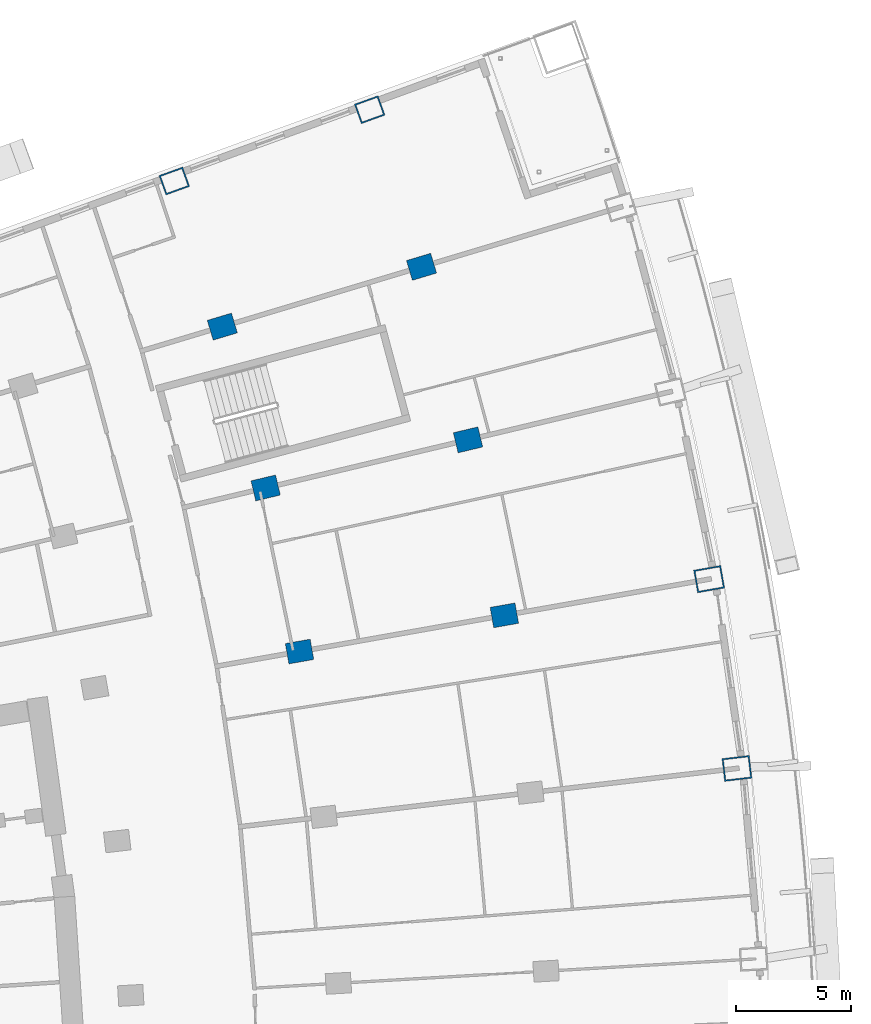
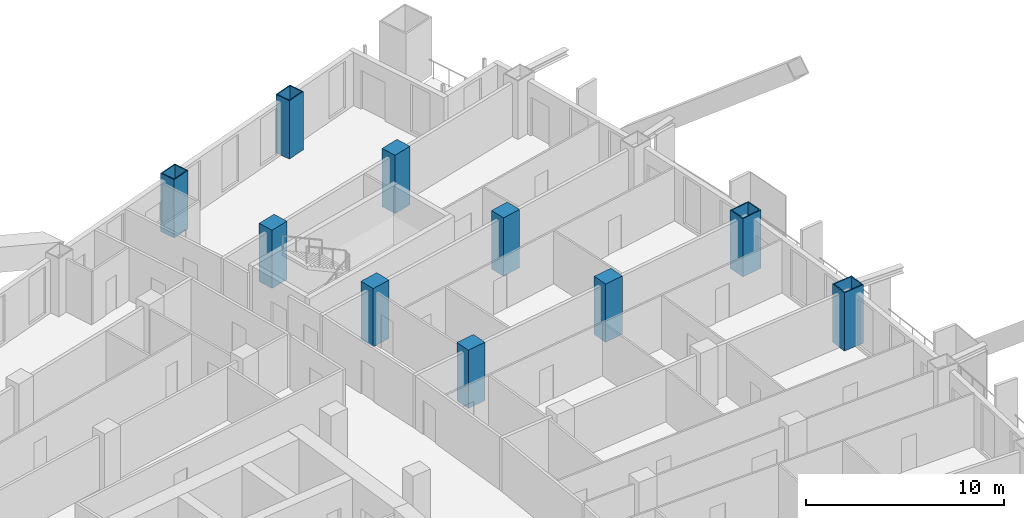
# One storey, part 10 of 25: 10 columns.
"""IFC4 building model written with IfcOpenShell, lengths in metres."""

import ifcopenshell
import ifcopenshell.guid

model = None  # the IFC model being written
_history = None  # IfcOwnerHistory: only IFC2X3 demands one
_inside = {}  # id of a spatial element -> (the spatial element, [elements in it])
_under = {}  # id of a project, library or spatial element -> (it, [spatial elements below it])
_declared = {}  # id of a project -> (the project, [libraries it declares])
_typed = {}  # id of a type object -> (the type object, [elements of that type])
_made_of = {}  # id of a material, layer set ... -> (it, [elements and type objects made of it])


def new_model(schema):
    """Start an empty IFC model of exactly this schema.

    Asked for "IFC4X3", IfcOpenShell would pick the latest addendum, in which some entities
    have other attributes; the version numbers below select the first issue.
    IFC2X3 requires an IfcOwnerHistory on every rooted entity: one is made here for all.
    """
    global model, _history
    if schema == "IFC4X3":
        model = ifcopenshell.file(schema_version=(4, 3, 0, 0))
    else:
        model = ifcopenshell.file(schema=schema)
    _inside.clear()
    _under.clear()
    _declared.clear()
    _typed.clear()
    _made_of.clear()
    _history = None
    if model.schema == "IFC2X3":
        org = make("IfcOrganization", Name="unknown")
        user = make(
            "IfcPersonAndOrganization",
            ThePerson=make("IfcPerson", FamilyName="unknown"),
            TheOrganization=org,
        )
        app = make(
            "IfcApplication",
            ApplicationDeveloper=org,
            Version="unknown",
            ApplicationFullName="unknown",
            ApplicationIdentifier="unknown",
        )
        _history = make(
            "IfcOwnerHistory",
            OwningUser=user,
            OwningApplication=app,
            ChangeAction="ADDED",
            CreationDate=0,
        )
    return model


def make(cls, **values):
    """One entity of the class cls with the attributes given. An attribute that is None is left unset."""
    return model.create_entity(
        cls, **{name: value for name, value in values.items() if value is not None}
    )


def rooted(cls, **values):
    """An entity with a GlobalId (a new one), such as an element, a storey or a relation."""
    return make(cls, GlobalId=ifcopenshell.guid.new(), OwnerHistory=_history, **values)


def si_unit(unit_type, name, prefix=None):
    """IfcSIUnit, for example si_unit("LENGTHUNIT", "METRE", prefix="MILLI")."""
    return make("IfcSIUnit", UnitType=unit_type, Prefix=prefix, Name=name)


def assignment(units):
    """IfcUnitAssignment: the units of a project."""
    return None if units is None else make("IfcUnitAssignment", Units=units)


def point(xyz):
    """IfcCartesianPoint."""
    return None if xyz is None else make("IfcCartesianPoint", Coordinates=xyz)


def direction(xyz):
    """IfcDirection."""
    return None if xyz is None else make("IfcDirection", DirectionRatios=xyz)


def frame(location, z_axis=None, x_axis=None):
    """IfcAxis2Placement3D, a coordinate frame: its origin and axes. An axis left out is left unset."""
    return make(
        "IfcAxis2Placement3D",
        Location=point(location),
        Axis=direction(z_axis),
        RefDirection=direction(x_axis),
    )


def frame_2d(location, x_axis=None):
    """IfcAxis2Placement2D, a coordinate frame in the plane: its origin and x axis."""
    return make(
        "IfcAxis2Placement2D", Location=point(location), RefDirection=direction(x_axis)
    )


def origin():
    """The frame at (0, 0, 0) with its axes left unset."""
    return frame((0.0, 0.0, 0.0))


def origin_2d():
    """The frame at (0, 0) in the plane with its x axis left unset."""
    return frame_2d((0.0, 0.0))


def place(relative_to, where):
    """IfcLocalPlacement: puts the frame where relative to a parent placement (None: the world)."""
    return make(
        "IfcLocalPlacement", PlacementRelTo=relative_to, RelativePlacement=where
    )


def context(
    kind, dimensions, precision=None, world=None, true_north=None, identifier=None
):
    """IfcGeometricRepresentationContext, for example the 3D "Model" context."""
    return make(
        "IfcGeometricRepresentationContext",
        ContextIdentifier=identifier,
        ContextType=kind,
        CoordinateSpaceDimension=dimensions,
        Precision=precision,
        WorldCoordinateSystem=world,
        TrueNorth=true_north,
    )


def subcontext(parent, identifier, kind, view, scale=None):
    """IfcGeometricRepresentationSubContext, for example "Body" below "Model"."""
    return make(
        "IfcGeometricRepresentationSubContext",
        ContextIdentifier=identifier,
        ContextType=kind,
        ParentContext=parent,
        TargetScale=scale,
        TargetView=view,
    )


def project(units=None, contexts=None):
    """IfcProject with its units and contexts."""
    return rooted(
        "IfcProject",
        Name="project",
        RepresentationContexts=contexts,
        UnitsInContext=assignment(units),
    )


def spatial(cls, under=None, at=None, **own):
    """A site, building, storey or space (cls), placed at a placement, below another one or the project."""
    s = rooted(cls, ObjectPlacement=at, **own)
    if under is not None:
        _under.setdefault(under.id(), (under, []))[1].append(s)
    return s


def profile(cls, at=None, kind="AREA", **sizes):
    """A parametric profile (cls). Its sizes go by their IFC names, for example OverallWidth=200.0."""
    return make(cls, ProfileType=kind, Position=at, **sizes)


def rectangle(**sizes):
    """IfcRectangleProfileDef."""
    return profile("IfcRectangleProfileDef", **sizes)


def hollow_rectangle(**sizes):
    """IfcRectangleHollowProfileDef."""
    return profile("IfcRectangleHollowProfileDef", **sizes)


def extrude(swept, where, along, depth):
    """IfcExtrudedAreaSolid: the profile swept, set in the frame where, extruded along a direction by depth."""
    return make(
        "IfcExtrudedAreaSolid",
        SweptArea=swept,
        Position=where,
        ExtrudedDirection=direction(along),
        Depth=depth,
    )


def shape(context_of_items, identifier, shape_type, items):
    """IfcShapeRepresentation: the items that make up one representation, for example the "Body"."""
    return make(
        "IfcShapeRepresentation",
        ContextOfItems=context_of_items,
        RepresentationIdentifier=identifier,
        RepresentationType=shape_type,
        Items=items,
    )


def material(Name=None, Category=None):
    """IfcMaterial."""
    return make("IfcMaterial", Name=Name, Category=Category)


def material_profile(
    of_material, cross_section, Name=None, Category=None, Priority=None
):
    """IfcMaterialProfile: a cross section and its material."""
    return make(
        "IfcMaterialProfile",
        Name=Name,
        Material=of_material,
        Profile=cross_section,
        Priority=Priority,
        Category=Category,
    )


def profile_set(profiles, Name=None, composite=None):
    """IfcMaterialProfileSet."""
    return make(
        "IfcMaterialProfileSet",
        Name=Name,
        MaterialProfiles=profiles,
        CompositeProfile=composite,
    )


def made_of(thing, what):
    """Note that an element or type object is made of a material, layer set ...; save() writes the relation."""
    if what is not None:
        _made_of.setdefault(what.id(), (what, []))[1].append(thing)
    return thing


def type_object(cls, material=None, **own):
    """A type object (cls), such as IfcWallType, which elements share."""
    return made_of(rooted(cls, **own), material)


def element(
    cls,
    number,
    at=None,
    inside=None,
    cuts=None,
    type_object=None,
    material=None,
    context=None,
    identifier="Body",
    shape_type=None,
    held_by="IfcProductDefinitionShape",
    body=None,
    shapes=None,
    **own,
):
    """One element of the class cls, such as IfcWall. Its Tag is "e" and its number.

    at: its placement. inside: the storey or other place that contains it. cuts: it is an
    opening in that element (IfcRelVoidsElement). A single representation is given by context,
    identifier, shape_type and body (its items); several are given by shapes. held_by: the class
    of the entity that holds the representations. save() writes the other relations.
    """
    e = rooted(cls, Tag="e%d" % number, ObjectPlacement=at, **own)
    if body is not None:
        shapes = [shape(context, identifier, shape_type, body)]
    if shapes is not None:
        e.Representation = make(held_by, Representations=shapes)
    if inside is not None:
        _inside.setdefault(inside.id(), (inside, []))[1].append(e)
    if cuts is not None:
        rooted(
            "IfcRelVoidsElement", RelatingBuildingElement=cuts, RelatedOpeningElement=e
        )
    if type_object is not None:
        _typed.setdefault(type_object.id(), (type_object, []))[1].append(e)
    return made_of(e, material)


def aggregate(whole, parts):
    """IfcRelAggregates: a whole, such as a stair, and the parts it consists of."""
    return rooted("IfcRelAggregates", RelatingObject=whole, RelatedObjects=parts)


def save(model, path):
    """Write the relations noted so far, then the file.

    IfcRelAggregates (storeys below a building ...), IfcRelContainedInSpatialStructure (elements
    in a storey), IfcRelDefinesByType, IfcRelAssociatesMaterial and IfcRelDeclares: one each for
    every whole, place, type object, material and project.
    """
    for whole, parts in _under.values():
        aggregate(whole, parts)
    for where, things in _inside.values():
        rooted(
            "IfcRelContainedInSpatialStructure",
            RelatedElements=things,
            RelatingStructure=where,
        )
    for kind, things in _typed.values():
        rooted("IfcRelDefinesByType", RelatedObjects=things, RelatingType=kind)
    for what, things in _made_of.values():
        rooted("IfcRelAssociatesMaterial", RelatedObjects=things, RelatingMaterial=what)
    for by, libraries in _declared.values():
        rooted("IfcRelDeclares", RelatingContext=by, RelatedDefinitions=libraries)
    model.write(path)


model = new_model("IFC4")

# Units and contexts
model_context = context("Model", 3, precision=1e-05, world=origin(), true_north=direction((0.0, 1.0)))
body_context = subcontext(model_context, "Body", "Model", "MODEL_VIEW")
ifc_project = project(units=[si_unit("LENGTHUNIT", "METRE"), si_unit("AREAUNIT", "SQUARE_METRE"), si_unit("VOLUMEUNIT", "CUBIC_METRE"), si_unit("PLANEANGLEUNIT", "RADIAN"), si_unit("MASSUNIT", "GRAM", prefix="KILO")], contexts=[model_context])

# Site, building, storey
site_placement = place(None, origin())
site = spatial("IfcSite", under=ifc_project, at=site_placement, CompositionType="ELEMENT")
building_placement = place(site_placement, origin())
building = spatial("IfcBuilding", under=site, at=building_placement, Name="Alderwake Tower", CompositionType="ELEMENT")
storey_placement = place(building_placement, frame((0.0, 0.0, 42.800048828125)))
storey = spatial("IfcBuildingStorey", under=building, at=storey_placement, Name="L09", CompositionType="ELEMENT", Elevation=42.800048828125)

# Columns
ifc_material_1 = material(Name="Steel ASTM A572 Grade 50 concrete filled C70/85", Category="concrete")
ifc_material_profile_1 = material_profile(ifc_material_1, hollow_rectangle(XDim=0.89990234375, YDim=1.10009765625, WallThickness=0.06005859375, at=origin_2d()), Name="BOX 1100X900X60")
ifc_profile_set_1 = profile_set([ifc_material_profile_1], Name="Steel ASTM A572 Grade 50 concrete filled C70/85")
column_type_1 = type_object("IfcColumnType", Name="End column Z1", PredefinedType="COLUMN", material=ifc_profile_set_1)
for number, where, z_axis, x_axis, name in (
    (1, (37.500732421875, 103.25244140625, 0.0), (0.0, 0.0, 1.0), (-0.338379907748, 0.941009584453, 0.0), "Column R13-C3"),
    (2, (46.017822265625, 106.361328125, 0.0), (0.0, 0.0, 1.0), (-0.338687013201, 0.940899095062, 0.0), "Column R13-C4"),
):
    element("IfcColumn", number, at=place(storey_placement, frame(where, z_axis=z_axis, x_axis=x_axis)), inside=storey, type_object=column_type_1, Name=name, PredefinedType="COLUMN", context=body_context, shape_type="SweptSolid", body=[
        extrude(hollow_rectangle(XDim=0.89990234375, YDim=1.10009765625, WallThickness=0.06005859375, at=origin_2d()), origin(), (0.0, 0.0, 1.0), 3.599853515625),
    ])
ifc_material_2 = material(Name="Concrete C70/85", Category="concrete")
ifc_material_profile_2 = material_profile(ifc_material_2, rectangle(XDim=0.89990234375, YDim=1.10009765625, at=origin_2d()), Name="RC 1100X900")
ifc_profile_set_2 = profile_set([ifc_material_profile_2], Name="Concrete C70/85")
column_type_2 = type_object("IfcColumnType", Name="Interior column Z1", PredefinedType="COLUMN", material=ifc_profile_set_2)
for number, where, z_axis, x_axis, name in (
    (3, (42.959716796875, 82.740234375, 0.0), (0.0, 0.0, 1.0), (-0.174108800747, 0.984726421654, 0.0), "Column R10-C3"),
    (4, (51.8876953125, 84.31884765625, 0.0), (0.0, 0.0, 1.0), (-0.174108800747, 0.984726421654, 0.0), "Column R10-C4"),
    (5, (41.48291015625, 89.871826171875, 0.0), (0.0, 0.0, 1.0), (-0.231221547198, 0.972901123502, 0.0), "Column R11-C3"),
    (6, (50.3037109375, 91.96826171875, 0.0), (0.0, 0.0, 1.0), (-0.231221547198, 0.972901123502, 0.0), "Column R11-C4"),
    (7, (39.593017578125, 96.9052734375, 0.0), (0.0, 0.0, 1.0), (-0.287549418125, 0.957765802342, 0.0), "Column R12-C3"),
    (8, (48.27685546875, 99.512451171875, 0.0), (0.0, 0.0, 1.0), (-0.287549418125, 0.957765802342, 0.0), "Column R12-C4"),
):
    element("IfcColumn", number, at=place(storey_placement, frame(where, z_axis=z_axis, x_axis=x_axis)), inside=storey, type_object=column_type_2, Name=name, PredefinedType="COLUMN", context=body_context, shape_type="SweptSolid", body=[
        extrude(rectangle(XDim=0.89990234375, YDim=1.10009765625, at=origin_2d()), origin(), (0.0, 0.0, 1.0), 3.599853515625),
    ])
ifc_material_3 = material(Name="Steel ASTM A572 Grade 50 concrete filled C70/85", Category="concrete")
ifc_material_profile_3 = material_profile(ifc_material_3, hollow_rectangle(XDim=1.0, YDim=1.199951171875, WallThickness=0.06005859375, at=origin_2d()), Name="BOX 1200X1000X60")
ifc_profile_set_3 = profile_set([ifc_material_profile_3], Name="Steel ASTM A572 Grade 50 concrete filled C70/85")
column_type_3 = type_object("IfcColumnType", Name="Perimeter column Z1", PredefinedType="COLUMN", material=ifc_profile_set_3)
for number, where, z_axis, x_axis, name in (
    (9, (62.02783203125, 77.6455078125, 0.0), (0.0, 0.0, 1.0), (-0.116402054316, 0.993202175668, 0.0), "Column R09-C5"),
    (10, (60.81591796875, 85.8974609375, 0.0), (0.0, 0.0, 1.0), (-0.174108800747, 0.984726421654, 0.0), "Column R10-C5"),
):
    element("IfcColumn", number, at=place(storey_placement, frame(where, z_axis=z_axis, x_axis=x_axis)), inside=storey, type_object=column_type_3, Name=name, PredefinedType="COLUMN", context=body_context, shape_type="SweptSolid", body=[
        extrude(hollow_rectangle(XDim=1.0, YDim=1.199951171875, WallThickness=0.06005859375, at=origin_2d()), origin(), (0.0, 0.0, 1.0), 3.599853515625),
    ])

save(model, "model.ifc")
